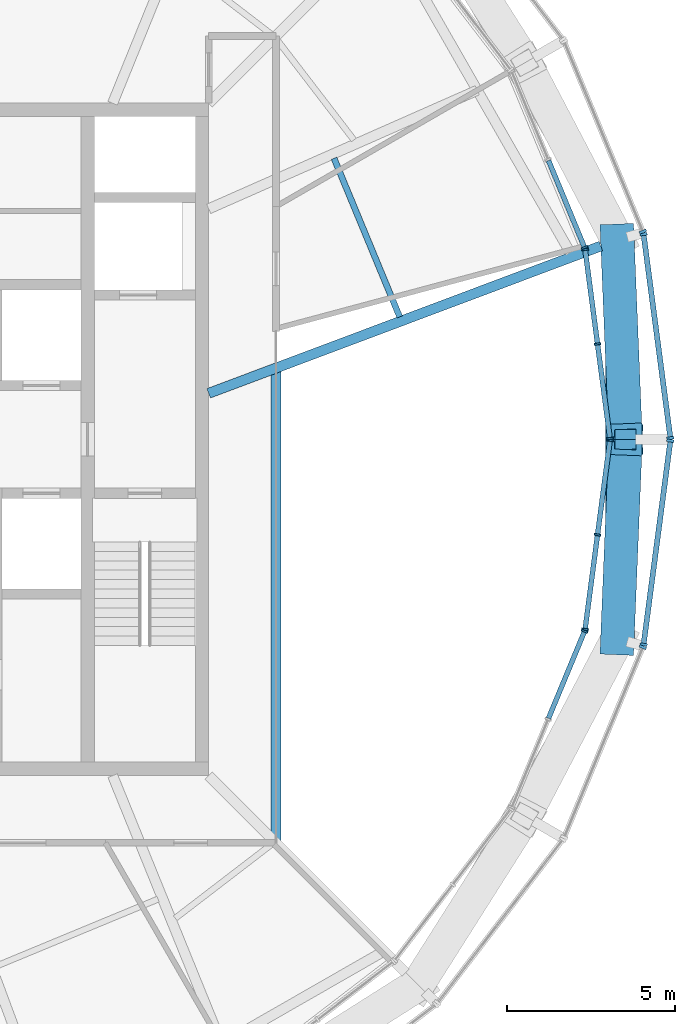
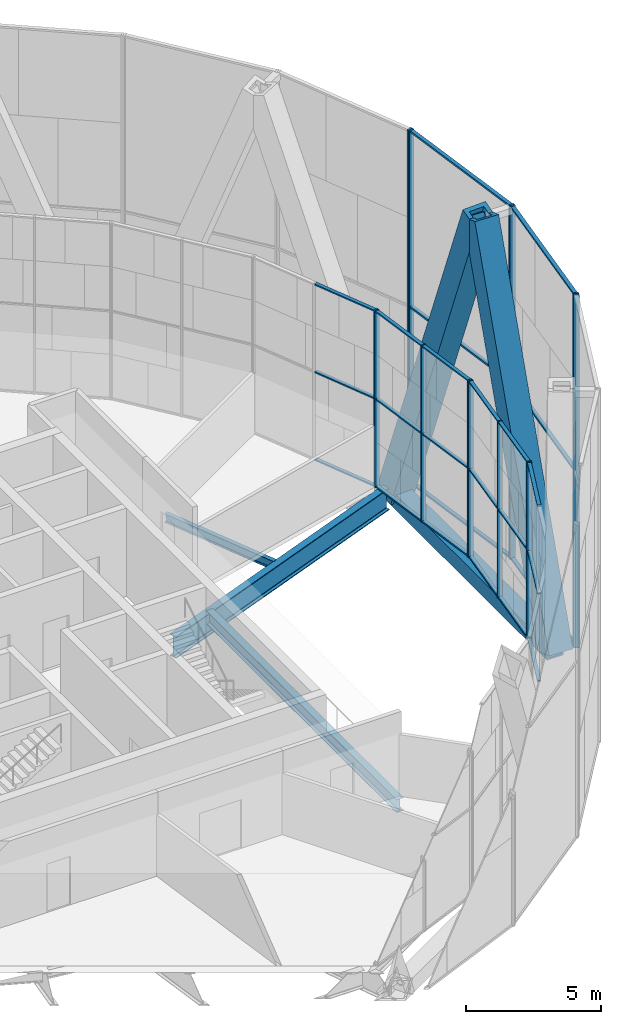
# One storey, part 5 of 22: 40 members, 4 beams, 8 elements without a shape of their own.
"""IFC4 building model written with IfcOpenShell, lengths in metres."""

from ifc_helpers import new_model, si_unit, direction, frame, origin, origin_2d, place, context, subcontext, project, spatial, rectangle, hollow_rectangle, i_section, extrude, material, material_profile, profile_set, type_object, element, aggregate, save


model = new_model("IFC4")

# Units and contexts
model_context = context("Model", 3, precision=1e-05, world=origin(), true_north=direction((0.0, 1.0)))
body_context = subcontext(model_context, "Body", "Model", "MODEL_VIEW")
ifc_project = project(units=[si_unit("LENGTHUNIT", "METRE"), si_unit("AREAUNIT", "SQUARE_METRE"), si_unit("VOLUMEUNIT", "CUBIC_METRE"), si_unit("PLANEANGLEUNIT", "RADIAN"), si_unit("MASSUNIT", "GRAM", prefix="KILO")], contexts=[model_context])

# Site, building, storey
site_placement = place(None, origin())
site = spatial("IfcSite", under=ifc_project, at=site_placement, CompositionType="ELEMENT")
building_placement = place(site_placement, origin())
building = spatial("IfcBuilding", under=site, at=building_placement, Name="Golbaran Civic Tower", CompositionType="ELEMENT")
storey_placement = place(building_placement, frame((0.0, 0.0, 264.0)))
storey = spatial("IfcBuildingStorey", under=building, at=storey_placement, Name="L64", CompositionType="ELEMENT", Elevation=264.0)

# Members
ifc_material_1 = material(Name="Steel S355", Category="steel")
ifc_material_profile_1 = material_profile(ifc_material_1, hollow_rectangle(XDim=1.0, YDim=1.0, WallThickness=0.179931640625, at=origin_2d()), Name="BOX 1000x1000x180")
ifc_profile_set_1 = profile_set([ifc_material_profile_1], Name="Steel S355")
member_type_1 = type_object("IfcMemberType", Name="DIAGRID DIAGONAL BOX 1000x1000x180", PredefinedType="BRACE", material=ifc_profile_set_1)
for number, where, z_axis, x_axis, name in (
    (1, (22.156494140625, 5.936767578125, -0.7099609375), (0.014261383079, -0.34783756503, 0.937446340495), (0.999160553133, 0.040965705945, 0.0), "Diagonal D15-00L L64-L68"),
    (2, (22.156494140625, -5.936767578125, -0.7099609375), (0.014261383079, 0.34783756503, 0.937446340495), (-0.999160553133, 0.040965705945, 0.0), "Diagonal D15-11R L64-L68"),
):
    element("IfcMember", number, at=place(storey_placement, frame(where, z_axis=z_axis, x_axis=x_axis)), inside=storey, type_object=member_type_1, Name=name, PredefinedType="BRACE", context=body_context, shape_type="SweptSolid", body=[
        extrude(hollow_rectangle(XDim=1.0, YDim=1.0, WallThickness=0.179931640625, at=origin_2d()), origin(), (0.0, 0.0, 1.0), 17.067626953125),
    ])

# Beams
ifc_material_profile_2 = material_profile(ifc_material_1, hollow_rectangle(XDim=0.699951171875, YDim=0.699951171875, WallThickness=0.080078125, at=origin_2d()), Name="BOX 700x700x80")
ifc_profile_set_2 = profile_set([ifc_material_profile_2], Name="Steel S355")
beam_type_1 = type_object("IfcBeamType", Name="DIAGRID RING TIE BOX 700x700x80", PredefinedType="BEAM", material=ifc_profile_set_2)
beam_1_placement = place(storey_placement, frame((22.156494140625, -5.936767578125, -0.7099609375), z_axis=(0.0, 1.0, 0.0), x_axis=(-1.0, 0.0, 0.0)))
element("IfcBeam", 3, at=beam_1_placement, inside=storey, type_object=beam_type_1, Name="Ring tie 345.00 L64", PredefinedType="BEAM", context=body_context, shape_type="SweptSolid", body=[
    extrude(hollow_rectangle(XDim=0.699951171875, YDim=0.699951171875, WallThickness=0.080078125, at=origin_2d()), origin(), (0.0, 0.0, 1.0), 11.87353515625),
])
ifc_material_profile_3 = material_profile(ifc_material_1, i_section(OverallWidth=0.179931640625, OverallDepth=0.39990234375, WebThickness=0.008544921875, FlangeThickness=0.013427734375, FilletRadius=0.02099609375, at=origin_2d()), Name="IPE 400")
ifc_profile_set_3 = profile_set([ifc_material_profile_3], Name="Steel S355")
beam_type_2 = type_object("IfcBeamType", Name="FLOOR INFILL BEAM IPE 400", PredefinedType="BEAM", material=ifc_profile_set_3)
beam_2_placement = place(storey_placement, frame((15.681396484375, 3.64404296875, -0.39990234375), z_axis=(-0.382706513468, 0.923869971668, 0.0), x_axis=(-0.923869971668, -0.382706513468, 0.0)))
element("IfcBeam", 4, at=beam_2_placement, inside=storey, type_object=beam_type_2, Name="Infill beam 22.50 L64", PredefinedType="BEAM", context=body_context, shape_type="SweptSolid", body=[
    extrude(i_section(OverallWidth=0.179931640625, OverallDepth=0.39990234375, WebThickness=0.008544921875, FlangeThickness=0.013427734375, FilletRadius=0.02099609375, at=origin_2d()), origin(), (0.0, 0.0, 1.0), 5.10595703125),
])
ifc_material_profile_4 = material_profile(ifc_material_1, i_section(OverallWidth=0.300048828125, OverallDepth=0.60009765625, WebThickness=0.015380859375, FlangeThickness=0.030029296875, FilletRadius=0.027099609375, at=origin_2d()), Name="HEB 600")
ifc_profile_set_4 = profile_set([ifc_material_profile_4], Name="Steel S355")
beam_type_3 = type_object("IfcBeamType", Name="GARDEN CHORD TRIMMER HEB 600", PredefinedType="BEAM", material=ifc_profile_set_4)
beam_3_placement = place(storey_placement, frame((12.0, -12.0, -0.5), z_axis=(0.0, 1.0, 0.0), x_axis=(-1.0, 0.0, 0.0)))
element("IfcBeam", 5, at=beam_3_placement, inside=storey, type_object=beam_type_3, Name="Garden void trimmer L64", PredefinedType="BEAM", context=body_context, shape_type="SweptSolid", body=[
    extrude(i_section(OverallWidth=0.300048828125, OverallDepth=0.60009765625, WebThickness=0.015380859375, FlangeThickness=0.030029296875, FilletRadius=0.027099609375, at=origin_2d()), origin(), (0.0, 0.0, 1.0), 14.12255859375),
])

# Curtain wall, members
ifc_material_2 = material(Name="Aluminium and glass", Category="aluminium")
curtain_wall_type_1 = type_object("IfcCurtainWallType", Name="INNER SKIN CURTAIN WALL EXECUTIVE", PredefinedType="NOTDEFINED", material=ifc_material_2)
curtain_wall_1_placement = place(storey_placement, origin())
curtain_wall_1 = element("IfcCurtainWall", 6, at=curtain_wall_1_placement, inside=storey, type_object=curtain_wall_type_1, Name="Inner skin L64 facet 1 CW2", ObjectType="INNER SKIN", PredefinedType="USERDEFINED")
ifc_material_3 = material(Name="Aluminium", Category="aluminium")
ifc_material_profile_5 = material_profile(ifc_material_3, rectangle(XDim=0.199951171875, YDim=0.06005859375, at=origin_2d()), Name="INNER SKIN CURTAIN WALL EXECUTIVE MULLION")
ifc_profile_set_5 = profile_set([ifc_material_profile_5], Name="Aluminium")
member_type_2 = type_object("IfcMemberType", Name="INNER SKIN CURTAIN WALL EXECUTIVE MULLION", PredefinedType="MULLION", material=ifc_profile_set_5)
member_1_placement = place(storey_placement, frame((21.93505859375, 0.02978515625, 0.0), z_axis=(0.0, 0.0, 1.0), x_axis=(-0.991444861376, -0.130526192203, 0.0)))
member_1 = element("IfcMember", 7, at=member_1_placement, type_object=member_type_2, Name="CW2 mullion 1", PredefinedType="MULLION", context=body_context, shape_type="SweptSolid", body=[
    extrude(rectangle(XDim=0.199951171875, YDim=0.06005859375, at=origin_2d()), origin(), (0.0, 0.0, 1.0), 8.0),
])
member_2_placement = place(storey_placement, frame((21.565185546875, 2.839111328125, 0.0), z_axis=(0.0, 0.0, 1.0), x_axis=(-0.991444861376, -0.130526192203, 0.0)))
member_2 = element("IfcMember", 8, at=member_2_placement, type_object=member_type_2, Name="CW2 mullion 2", PredefinedType="MULLION", context=body_context, shape_type="SweptSolid", body=[
    extrude(rectangle(XDim=0.199951171875, YDim=0.06005859375, at=origin_2d()), origin(), (0.0, 0.0, 1.0), 8.0),
])
member_3_placement = place(storey_placement, frame((21.1953125, 5.6484375, 0.0), z_axis=(0.0, 0.0, 1.0), x_axis=(-0.991444861376, -0.130526192203, 0.0)))
member_3 = element("IfcMember", 9, at=member_3_placement, type_object=member_type_2, Name="CW2 mullion 3", PredefinedType="MULLION", context=body_context, shape_type="SweptSolid", body=[
    extrude(rectangle(XDim=0.199951171875, YDim=0.06005859375, at=origin_2d()), origin(), (0.0, 0.0, 1.0), 8.0),
])

# Curtain wall, member
curtain_wall_2_placement = place(storey_placement, origin())
curtain_wall_2 = element("IfcCurtainWall", 10, at=curtain_wall_2_placement, inside=storey, type_object=curtain_wall_type_1, Name="Inner skin L64 facet 2 CW2", ObjectType="INNER SKIN", PredefinedType="USERDEFINED")
member_4_placement = place(storey_placement, frame((21.179931640625, 5.7060546875, 0.0), z_axis=(0.0, 0.0, 1.0), x_axis=(-0.923879532518, -0.382683432349, 0.0)))
member_4 = element("IfcMember", 11, at=member_4_placement, type_object=member_type_2, Name="CW2 mullion 1", PredefinedType="MULLION", context=body_context, shape_type="SweptSolid", body=[
    extrude(rectangle(XDim=0.199951171875, YDim=0.06005859375, at=origin_2d()), origin(), (0.0, 0.0, 1.0), 8.0),
])

curtain_wall_3_placement = place(storey_placement, origin())
curtain_wall_3 = element("IfcCurtainWall", 12, at=curtain_wall_3_placement, inside=storey, type_object=curtain_wall_type_1, Name="Inner skin L64 facet 23 CW2", ObjectType="INNER SKIN", PredefinedType="USERDEFINED")
member_5_placement = place(storey_placement, frame((21.179931640625, -5.7060546875, 0.0), z_axis=(0.0, 0.0, 1.0), x_axis=(-0.923879532518, 0.382683432349, 0.0)))
member_5 = element("IfcMember", 13, at=member_5_placement, type_object=member_type_2, Name="CW2 mullion 3", PredefinedType="MULLION", context=body_context, shape_type="SweptSolid", body=[
    extrude(rectangle(XDim=0.199951171875, YDim=0.06005859375, at=origin_2d()), origin(), (0.0, 0.0, 1.0), 8.0),
])

# Curtain wall, members
curtain_wall_4_placement = place(storey_placement, origin())
curtain_wall_4 = element("IfcCurtainWall", 14, at=curtain_wall_4_placement, inside=storey, type_object=curtain_wall_type_1, Name="Inner skin L64 facet 24 CW2", ObjectType="INNER SKIN", PredefinedType="USERDEFINED")
member_6_placement = place(storey_placement, frame((21.1953125, -5.6484375, 0.0), z_axis=(0.0, 0.0, 1.0), x_axis=(-0.991444861376, 0.130526192203, 0.0)))
member_6 = element("IfcMember", 15, at=member_6_placement, type_object=member_type_2, Name="CW2 mullion 1", PredefinedType="MULLION", context=body_context, shape_type="SweptSolid", body=[
    extrude(rectangle(XDim=0.199951171875, YDim=0.06005859375, at=origin_2d()), origin(), (0.0, 0.0, 1.0), 8.0),
])
member_7_placement = place(storey_placement, frame((21.565185546875, -2.839111328125, 0.0), z_axis=(0.0, 0.0, 1.0), x_axis=(-0.991444861376, 0.130526192203, 0.0)))
member_7 = element("IfcMember", 16, at=member_7_placement, type_object=member_type_2, Name="CW2 mullion 2", PredefinedType="MULLION", context=body_context, shape_type="SweptSolid", body=[
    extrude(rectangle(XDim=0.199951171875, YDim=0.06005859375, at=origin_2d()), origin(), (0.0, 0.0, 1.0), 8.0),
])
member_8_placement = place(storey_placement, frame((21.93505859375, -0.02978515625, 0.0), z_axis=(0.0, 0.0, 1.0), x_axis=(-0.991444861376, 0.130526192203, 0.0)))
member_8 = element("IfcMember", 17, at=member_8_placement, type_object=member_type_2, Name="CW2 mullion 3", PredefinedType="MULLION", context=body_context, shape_type="SweptSolid", body=[
    extrude(rectangle(XDim=0.199951171875, YDim=0.06005859375, at=origin_2d()), origin(), (0.0, 0.0, 1.0), 8.0),
])

# Member
ifc_material_profile_6 = material_profile(ifc_material_3, rectangle(XDim=0.14990234375, YDim=0.06005859375, at=origin_2d()), Name="INNER SKIN CURTAIN WALL EXECUTIVE TRANSOM")
ifc_profile_set_6 = profile_set([ifc_material_profile_6], Name="Aluminium")
member_type_3 = type_object("IfcMemberType", Name="INNER SKIN CURTAIN WALL EXECUTIVE TRANSOM", PredefinedType="USERDEFINED", material=ifc_profile_set_6)
member_9_placement = place(storey_placement, frame((21.93115234375, 0.0595703125, 0.030029296875), z_axis=(-0.130543317556, 0.99144260663, 0.0), x_axis=(-0.99144260663, -0.130543317556, 0.0)))
member_9 = element("IfcMember", 18, at=member_9_placement, type_object=member_type_3, Name="CW2 transom 1.1", ObjectType="TRANSOM", PredefinedType="USERDEFINED", context=body_context, shape_type="SweptSolid", body=[
    extrude(rectangle(XDim=0.14990234375, YDim=0.06005859375, at=origin_2d()), origin(), (0.0, 0.0, 1.0), 2.7734375),
])

member_10_placement = place(storey_placement, frame((21.93115234375, 0.0595703125, 4.0), z_axis=(-0.130543317556, 0.99144260663, 0.0), x_axis=(-0.99144260663, -0.130543317556, 0.0)))
member_10 = element("IfcMember", 19, at=member_10_placement, type_object=member_type_3, Name="CW2 transom 1.2", ObjectType="TRANSOM", PredefinedType="USERDEFINED", context=body_context, shape_type="SweptSolid", body=[
    extrude(rectangle(XDim=0.14990234375, YDim=0.06005859375, at=origin_2d()), origin(), (0.0, 0.0, 1.0), 2.7734375),
])

member_11_placement = place(storey_placement, frame((21.93115234375, 0.0595703125, 7.969970703125), z_axis=(-0.130543317556, 0.99144260663, 0.0), x_axis=(-0.99144260663, -0.130543317556, 0.0)))
member_11 = element("IfcMember", 20, at=member_11_placement, type_object=member_type_3, Name="CW2 transom 1.3", ObjectType="TRANSOM", PredefinedType="USERDEFINED", context=body_context, shape_type="SweptSolid", body=[
    extrude(rectangle(XDim=0.14990234375, YDim=0.06005859375, at=origin_2d()), origin(), (0.0, 0.0, 1.0), 2.7734375),
])

member_12_placement = place(storey_placement, frame((21.561279296875, 2.868896484375, 0.030029296875), z_axis=(-0.130543317556, 0.99144260663, 0.0), x_axis=(-0.99144260663, -0.130543317556, 0.0)))
member_12 = element("IfcMember", 21, at=member_12_placement, type_object=member_type_3, Name="CW2 transom 2.1", ObjectType="TRANSOM", PredefinedType="USERDEFINED", context=body_context, shape_type="SweptSolid", body=[
    extrude(rectangle(XDim=0.14990234375, YDim=0.06005859375, at=origin_2d()), origin(), (0.0, 0.0, 1.0), 2.7734375),
])

member_13_placement = place(storey_placement, frame((21.561279296875, 2.868896484375, 4.0), z_axis=(-0.130543317556, 0.99144260663, 0.0), x_axis=(-0.99144260663, -0.130543317556, 0.0)))
member_13 = element("IfcMember", 22, at=member_13_placement, type_object=member_type_3, Name="CW2 transom 2.2", ObjectType="TRANSOM", PredefinedType="USERDEFINED", context=body_context, shape_type="SweptSolid", body=[
    extrude(rectangle(XDim=0.14990234375, YDim=0.06005859375, at=origin_2d()), origin(), (0.0, 0.0, 1.0), 2.7734375),
])

member_14_placement = place(storey_placement, frame((21.561279296875, 2.868896484375, 7.969970703125), z_axis=(-0.130543317556, 0.99144260663, 0.0), x_axis=(-0.99144260663, -0.130543317556, 0.0)))
member_14 = element("IfcMember", 23, at=member_14_placement, type_object=member_type_3, Name="CW2 transom 2.3", ObjectType="TRANSOM", PredefinedType="USERDEFINED", context=body_context, shape_type="SweptSolid", body=[
    extrude(rectangle(XDim=0.14990234375, YDim=0.06005859375, at=origin_2d()), origin(), (0.0, 0.0, 1.0), 2.7734375),
])

aggregate(curtain_wall_1, [member_1, member_2, member_3, member_9, member_10, member_11, member_12, member_13, member_14])

member_15_placement = place(storey_placement, frame((21.16845703125, 5.733642578125, 0.030029296875), z_axis=(-0.382639437748, 0.923897754451, 0.0), x_axis=(-0.923897754451, -0.382639437748, 0.0)))
member_15 = element("IfcMember", 24, at=member_15_placement, type_object=member_type_3, Name="CW2 transom 1.1", ObjectType="TRANSOM", PredefinedType="USERDEFINED", context=body_context, shape_type="SweptSolid", body=[
    extrude(rectangle(XDim=0.14990234375, YDim=0.06005859375, at=origin_2d()), origin(), (0.0, 0.0, 1.0), 2.773681640625),
])

member_16_placement = place(storey_placement, frame((21.16845703125, 5.733642578125, 4.0), z_axis=(-0.382639437748, 0.923897754451, 0.0), x_axis=(-0.923897754451, -0.382639437748, 0.0)))
member_16 = element("IfcMember", 25, at=member_16_placement, type_object=member_type_3, Name="CW2 transom 1.2", ObjectType="TRANSOM", PredefinedType="USERDEFINED", context=body_context, shape_type="SweptSolid", body=[
    extrude(rectangle(XDim=0.14990234375, YDim=0.06005859375, at=origin_2d()), origin(), (0.0, 0.0, 1.0), 2.773681640625),
])

member_17_placement = place(storey_placement, frame((21.16845703125, 5.733642578125, 7.969970703125), z_axis=(-0.382639437748, 0.923897754451, 0.0), x_axis=(-0.923897754451, -0.382639437748, 0.0)))
member_17 = element("IfcMember", 26, at=member_17_placement, type_object=member_type_3, Name="CW2 transom 1.3", ObjectType="TRANSOM", PredefinedType="USERDEFINED", context=body_context, shape_type="SweptSolid", body=[
    extrude(rectangle(XDim=0.14990234375, YDim=0.06005859375, at=origin_2d()), origin(), (0.0, 0.0, 1.0), 2.773681640625),
])

aggregate(curtain_wall_2, [member_4, member_15, member_16, member_17])

member_18_placement = place(storey_placement, frame((20.107177734375, -8.296142578125, 0.030029296875), z_axis=(0.382639437748, 0.923897754451, 0.0), x_axis=(-0.923897754451, 0.382639437748, 0.0)))
member_18 = element("IfcMember", 27, at=member_18_placement, type_object=member_type_3, Name="CW2 transom 2.1", ObjectType="TRANSOM", PredefinedType="USERDEFINED", context=body_context, shape_type="SweptSolid", body=[
    extrude(rectangle(XDim=0.14990234375, YDim=0.06005859375, at=origin_2d()), origin(), (0.0, 0.0, 1.0), 2.773681640625),
])

member_19_placement = place(storey_placement, frame((20.107177734375, -8.296142578125, 4.0), z_axis=(0.382639437748, 0.923897754451, 0.0), x_axis=(-0.923897754451, 0.382639437748, 0.0)))
member_19 = element("IfcMember", 28, at=member_19_placement, type_object=member_type_3, Name="CW2 transom 2.2", ObjectType="TRANSOM", PredefinedType="USERDEFINED", context=body_context, shape_type="SweptSolid", body=[
    extrude(rectangle(XDim=0.14990234375, YDim=0.06005859375, at=origin_2d()), origin(), (0.0, 0.0, 1.0), 2.773681640625),
])

member_20_placement = place(storey_placement, frame((20.107177734375, -8.296142578125, 7.969970703125), z_axis=(0.382639437748, 0.923897754451, 0.0), x_axis=(-0.923897754451, 0.382639437748, 0.0)))
member_20 = element("IfcMember", 29, at=member_20_placement, type_object=member_type_3, Name="CW2 transom 2.3", ObjectType="TRANSOM", PredefinedType="USERDEFINED", context=body_context, shape_type="SweptSolid", body=[
    extrude(rectangle(XDim=0.14990234375, YDim=0.06005859375, at=origin_2d()), origin(), (0.0, 0.0, 1.0), 2.773681640625),
])

aggregate(curtain_wall_3, [member_5, member_18, member_19, member_20])

member_21_placement = place(storey_placement, frame((21.19921875, -5.61865234375, 0.030029296875), z_axis=(0.130543317556, 0.99144260663, 0.0), x_axis=(-0.99144260663, 0.130543317556, 0.0)))
member_21 = element("IfcMember", 30, at=member_21_placement, type_object=member_type_3, Name="CW2 transom 1.1", ObjectType="TRANSOM", PredefinedType="USERDEFINED", context=body_context, shape_type="SweptSolid", body=[
    extrude(rectangle(XDim=0.14990234375, YDim=0.06005859375, at=origin_2d()), origin(), (0.0, 0.0, 1.0), 2.7734375),
])

member_22_placement = place(storey_placement, frame((21.19921875, -5.61865234375, 4.0), z_axis=(0.130543317556, 0.99144260663, 0.0), x_axis=(-0.99144260663, 0.130543317556, 0.0)))
member_22 = element("IfcMember", 31, at=member_22_placement, type_object=member_type_3, Name="CW2 transom 1.2", ObjectType="TRANSOM", PredefinedType="USERDEFINED", context=body_context, shape_type="SweptSolid", body=[
    extrude(rectangle(XDim=0.14990234375, YDim=0.06005859375, at=origin_2d()), origin(), (0.0, 0.0, 1.0), 2.7734375),
])

member_23_placement = place(storey_placement, frame((21.19921875, -5.61865234375, 7.969970703125), z_axis=(0.130543317556, 0.99144260663, 0.0), x_axis=(-0.99144260663, 0.130543317556, 0.0)))
member_23 = element("IfcMember", 32, at=member_23_placement, type_object=member_type_3, Name="CW2 transom 1.3", ObjectType="TRANSOM", PredefinedType="USERDEFINED", context=body_context, shape_type="SweptSolid", body=[
    extrude(rectangle(XDim=0.14990234375, YDim=0.06005859375, at=origin_2d()), origin(), (0.0, 0.0, 1.0), 2.7734375),
])

member_24_placement = place(storey_placement, frame((21.569091796875, -2.809326171875, 0.030029296875), z_axis=(0.130543317556, 0.99144260663, 0.0), x_axis=(-0.99144260663, 0.130543317556, 0.0)))
member_24 = element("IfcMember", 33, at=member_24_placement, type_object=member_type_3, Name="CW2 transom 2.1", ObjectType="TRANSOM", PredefinedType="USERDEFINED", context=body_context, shape_type="SweptSolid", body=[
    extrude(rectangle(XDim=0.14990234375, YDim=0.06005859375, at=origin_2d()), origin(), (0.0, 0.0, 1.0), 2.7734375),
])

member_25_placement = place(storey_placement, frame((21.569091796875, -2.809326171875, 4.0), z_axis=(0.130543317556, 0.99144260663, 0.0), x_axis=(-0.99144260663, 0.130543317556, 0.0)))
member_25 = element("IfcMember", 34, at=member_25_placement, type_object=member_type_3, Name="CW2 transom 2.2", ObjectType="TRANSOM", PredefinedType="USERDEFINED", context=body_context, shape_type="SweptSolid", body=[
    extrude(rectangle(XDim=0.14990234375, YDim=0.06005859375, at=origin_2d()), origin(), (0.0, 0.0, 1.0), 2.7734375),
])

member_26_placement = place(storey_placement, frame((21.569091796875, -2.809326171875, 7.969970703125), z_axis=(0.130543317556, 0.99144260663, 0.0), x_axis=(-0.99144260663, 0.130543317556, 0.0)))
member_26 = element("IfcMember", 35, at=member_26_placement, type_object=member_type_3, Name="CW2 transom 2.3", ObjectType="TRANSOM", PredefinedType="USERDEFINED", context=body_context, shape_type="SweptSolid", body=[
    extrude(rectangle(XDim=0.14990234375, YDim=0.06005859375, at=origin_2d()), origin(), (0.0, 0.0, 1.0), 2.7734375),
])

aggregate(curtain_wall_4, [member_6, member_7, member_8, member_21, member_22, member_23, member_24, member_25, member_26])

# Curtain wall, members
curtain_wall_type_2 = type_object("IfcCurtainWallType", Name="OUTER SKIN TERRACOTTA SCREEN", PredefinedType="NOTDEFINED", material=ifc_material_2)
curtain_wall_5_placement = place(storey_placement, origin())
curtain_wall_5 = element("IfcCurtainWall", 36, at=curtain_wall_5_placement, inside=storey, type_object=curtain_wall_type_2, Name="Outer skin L64 facet 1 CW3", ObjectType="OUTER SKIN", PredefinedType="USERDEFINED")
ifc_material_profile_7 = material_profile(ifc_material_3, rectangle(XDim=0.219970703125, YDim=0.080078125, at=origin_2d()), Name="OUTER SKIN TERRACOTTA SCREEN MULLION")
ifc_profile_set_7 = profile_set([ifc_material_profile_7], Name="Aluminium")
member_type_4 = type_object("IfcMemberType", Name="OUTER SKIN TERRACOTTA SCREEN MULLION", PredefinedType="MULLION", material=ifc_profile_set_7)
member_27_placement = place(storey_placement, frame((23.732666015625, 0.03955078125, -0.7099609375), z_axis=(0.0, 0.0, 1.0), x_axis=(-0.991444861365, -0.130526192289, 0.0)))
member_27 = element("IfcMember", 37, at=member_27_placement, type_object=member_type_4, Name="CW3 mullion 1", PredefinedType="MULLION", context=body_context, shape_type="SweptSolid", body=[
    extrude(rectangle(XDim=0.219970703125, YDim=0.080078125, at=origin_2d()), origin(), (0.0, 0.0, 1.0), 16.0),
])
member_28_placement = place(storey_placement, frame((22.934326171875, 6.104248046875, -0.7099609375), z_axis=(0.0, 0.0, 1.0), x_axis=(-0.991444861365, -0.130526192289, 0.0)))
member_28 = element("IfcMember", 38, at=member_28_placement, type_object=member_type_4, Name="CW3 mullion 2", PredefinedType="MULLION", context=body_context, shape_type="SweptSolid", body=[
    extrude(rectangle(XDim=0.219970703125, YDim=0.080078125, at=origin_2d()), origin(), (0.0, 0.0, 1.0), 16.0),
])

# Curtain wall, member
curtain_wall_6_placement = place(storey_placement, origin())
curtain_wall_6 = element("IfcCurtainWall", 39, at=curtain_wall_6_placement, inside=storey, type_object=curtain_wall_type_2, Name="Outer skin L64 facet 2 CW3", ObjectType="OUTER SKIN", PredefinedType="USERDEFINED")
member_29_placement = place(storey_placement, frame((22.913818359375, 6.180908203125, -0.7099609375), z_axis=(0.0, 0.0, 1.0), x_axis=(-0.923879532525, -0.382683432333, 0.0)))
member_29 = element("IfcMember", 40, at=member_29_placement, type_object=member_type_4, Name="CW3 mullion 1", PredefinedType="MULLION", context=body_context, shape_type="SweptSolid", body=[
    extrude(rectangle(XDim=0.219970703125, YDim=0.080078125, at=origin_2d()), origin(), (0.0, 0.0, 1.0), 16.0),
])
aggregate(curtain_wall_6, [member_29])

curtain_wall_7_placement = place(storey_placement, origin())
curtain_wall_7 = element("IfcCurtainWall", 41, at=curtain_wall_7_placement, inside=storey, type_object=curtain_wall_type_2, Name="Outer skin L64 facet 23 CW3", ObjectType="OUTER SKIN", PredefinedType="USERDEFINED")
member_30_placement = place(storey_placement, frame((22.913818359375, -6.180908203125, -0.7099609375), z_axis=(0.0, 0.0, 1.0), x_axis=(-0.923879532525, 0.382683432333, 0.0)))
member_30 = element("IfcMember", 42, at=member_30_placement, type_object=member_type_4, Name="CW3 mullion 2", PredefinedType="MULLION", context=body_context, shape_type="SweptSolid", body=[
    extrude(rectangle(XDim=0.219970703125, YDim=0.080078125, at=origin_2d()), origin(), (0.0, 0.0, 1.0), 16.0),
])
aggregate(curtain_wall_7, [member_30])

# Curtain wall, members
curtain_wall_8_placement = place(storey_placement, origin())
curtain_wall_8 = element("IfcCurtainWall", 43, at=curtain_wall_8_placement, inside=storey, type_object=curtain_wall_type_2, Name="Outer skin L64 facet 24 CW3", ObjectType="OUTER SKIN", PredefinedType="USERDEFINED")
member_31_placement = place(storey_placement, frame((22.934326171875, -6.104248046875, -0.7099609375), z_axis=(0.0, 0.0, 1.0), x_axis=(-0.991444861365, 0.130526192289, 0.0)))
member_31 = element("IfcMember", 44, at=member_31_placement, type_object=member_type_4, Name="CW3 mullion 1", PredefinedType="MULLION", context=body_context, shape_type="SweptSolid", body=[
    extrude(rectangle(XDim=0.219970703125, YDim=0.080078125, at=origin_2d()), origin(), (0.0, 0.0, 1.0), 16.0),
])
member_32_placement = place(storey_placement, frame((23.732666015625, -0.03955078125, -0.7099609375), z_axis=(0.0, 0.0, 1.0), x_axis=(-0.991444861365, 0.130526192289, 0.0)))
member_32 = element("IfcMember", 45, at=member_32_placement, type_object=member_type_4, Name="CW3 mullion 2", PredefinedType="MULLION", context=body_context, shape_type="SweptSolid", body=[
    extrude(rectangle(XDim=0.219970703125, YDim=0.080078125, at=origin_2d()), origin(), (0.0, 0.0, 1.0), 16.0),
])

# Member
ifc_material_profile_8 = material_profile(ifc_material_3, rectangle(XDim=0.159912109375, YDim=0.080078125, at=origin_2d()), Name="OUTER SKIN TERRACOTTA SCREEN TRANSOM")
ifc_profile_set_8 = profile_set([ifc_material_profile_8], Name="Aluminium")
member_type_5 = type_object("IfcMemberType", Name="OUTER SKIN TERRACOTTA SCREEN TRANSOM", PredefinedType="USERDEFINED", material=ifc_profile_set_8)
member_33_placement = place(storey_placement, frame((23.7275390625, 0.079345703125, -0.669921875), z_axis=(-0.130507866716, 0.9914472738, 0.0), x_axis=(-0.9914472738, -0.130507866716, 0.0)))
member_33 = element("IfcMember", 46, at=member_33_placement, type_object=member_type_5, Name="CW3 transom 1.1", ObjectType="TRANSOM", PredefinedType="USERDEFINED", context=body_context, shape_type="SweptSolid", body=[
    extrude(rectangle(XDim=0.159912109375, YDim=0.080078125, at=origin_2d()), origin(), (0.0, 0.0, 1.0), 6.03662109375),
])

member_34_placement = place(storey_placement, frame((23.7275390625, 0.079345703125, 7.2900390625), z_axis=(-0.130507866716, 0.9914472738, 0.0), x_axis=(-0.9914472738, -0.130507866716, 0.0)))
member_34 = element("IfcMember", 47, at=member_34_placement, type_object=member_type_5, Name="CW3 transom 1.2", ObjectType="TRANSOM", PredefinedType="USERDEFINED", context=body_context, shape_type="SweptSolid", body=[
    extrude(rectangle(XDim=0.159912109375, YDim=0.080078125, at=origin_2d()), origin(), (0.0, 0.0, 1.0), 6.03662109375),
])

member_35_placement = place(storey_placement, frame((23.7275390625, 0.079345703125, 15.25), z_axis=(-0.130507866716, 0.9914472738, 0.0), x_axis=(-0.9914472738, -0.130507866716, 0.0)))
member_35 = element("IfcMember", 48, at=member_35_placement, type_object=member_type_5, Name="CW3 transom 1.3", ObjectType="TRANSOM", PredefinedType="USERDEFINED", context=body_context, shape_type="SweptSolid", body=[
    extrude(rectangle(XDim=0.159912109375, YDim=0.080078125, at=origin_2d()), origin(), (0.0, 0.0, 1.0), 6.03662109375),
])

aggregate(curtain_wall_5, [member_27, member_28, member_33, member_34, member_35])

member_36_placement = place(storey_placement, frame((22.939697265625, -6.064453125, -0.669921875), z_axis=(0.130507866716, 0.9914472738, 0.0), x_axis=(-0.9914472738, 0.130507866716, 0.0)))
member_36 = element("IfcMember", 49, at=member_36_placement, type_object=member_type_5, Name="CW3 transom 1.1", ObjectType="TRANSOM", PredefinedType="USERDEFINED", context=body_context, shape_type="SweptSolid", body=[
    extrude(rectangle(XDim=0.159912109375, YDim=0.080078125, at=origin_2d()), origin(), (0.0, 0.0, 1.0), 6.03662109375),
])

member_37_placement = place(storey_placement, frame((22.939697265625, -6.064453125, 7.2900390625), z_axis=(0.130507866716, 0.9914472738, 0.0), x_axis=(-0.9914472738, 0.130507866716, 0.0)))
member_37 = element("IfcMember", 50, at=member_37_placement, type_object=member_type_5, Name="CW3 transom 1.2", ObjectType="TRANSOM", PredefinedType="USERDEFINED", context=body_context, shape_type="SweptSolid", body=[
    extrude(rectangle(XDim=0.159912109375, YDim=0.080078125, at=origin_2d()), origin(), (0.0, 0.0, 1.0), 6.03662109375),
])

member_38_placement = place(storey_placement, frame((22.939697265625, -6.064453125, 15.25), z_axis=(0.130507866716, 0.9914472738, 0.0), x_axis=(-0.9914472738, 0.130507866716, 0.0)))
member_38 = element("IfcMember", 51, at=member_38_placement, type_object=member_type_5, Name="CW3 transom 1.3", ObjectType="TRANSOM", PredefinedType="USERDEFINED", context=body_context, shape_type="SweptSolid", body=[
    extrude(rectangle(XDim=0.159912109375, YDim=0.080078125, at=origin_2d()), origin(), (0.0, 0.0, 1.0), 6.03662109375),
])

aggregate(curtain_wall_8, [member_31, member_32, member_36, member_37, member_38])

# Beam
ifc_material_profile_9 = material_profile(ifc_material_1, i_section(OverallWidth=0.300048828125, OverallDepth=1.0, WebThickness=0.01904296875, FlangeThickness=0.035888671875, FilletRadius=0.030029296875, at=origin_2d()), Name="HEB 1000")
ifc_profile_set_9 = profile_set([ifc_material_profile_9], Name="Steel S355")
beam_type_4 = type_object("IfcBeamType", Name="RADIAL FLOOR BEAM HEB 1000", PredefinedType="BEAM", material=ifc_profile_set_9)
beam_4_placement = place(storey_placement, frame((10.0, 1.371337890625, -0.7099609375), z_axis=(0.936156731524, 0.351582954682, 0.0), x_axis=(-0.351582954682, 0.936156731524, 0.0)))
element("IfcBeam", 52, at=beam_4_placement, inside=storey, type_object=beam_type_4, Name="Radial beam 15.00 L64", PredefinedType="BEAM", context=body_context, shape_type="SweptSolid", body=[
    extrude(i_section(OverallWidth=0.300048828125, OverallDepth=1.0, WebThickness=0.01904296875, FlangeThickness=0.035888671875, FilletRadius=0.030029296875, at=origin_2d()), origin(), (0.0, 0.0, 1.0), 12.458984375),
])

save(model, "model.ifc")
